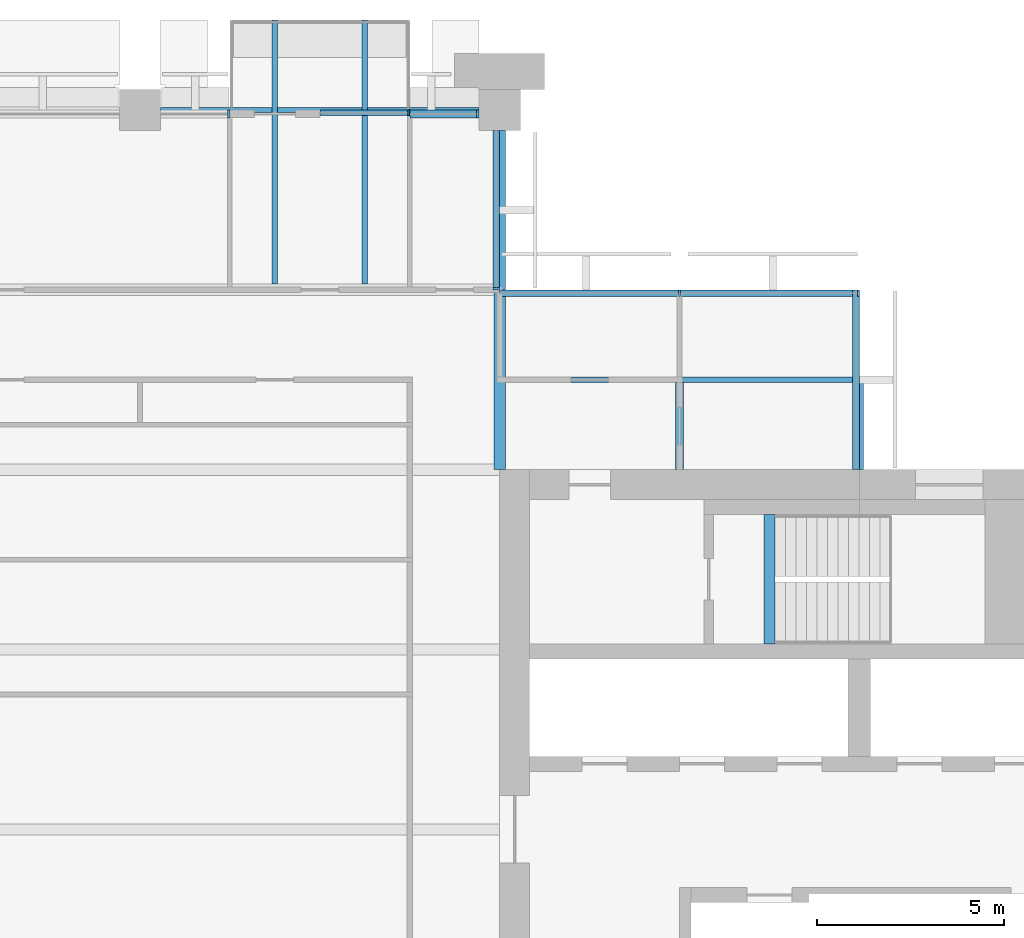
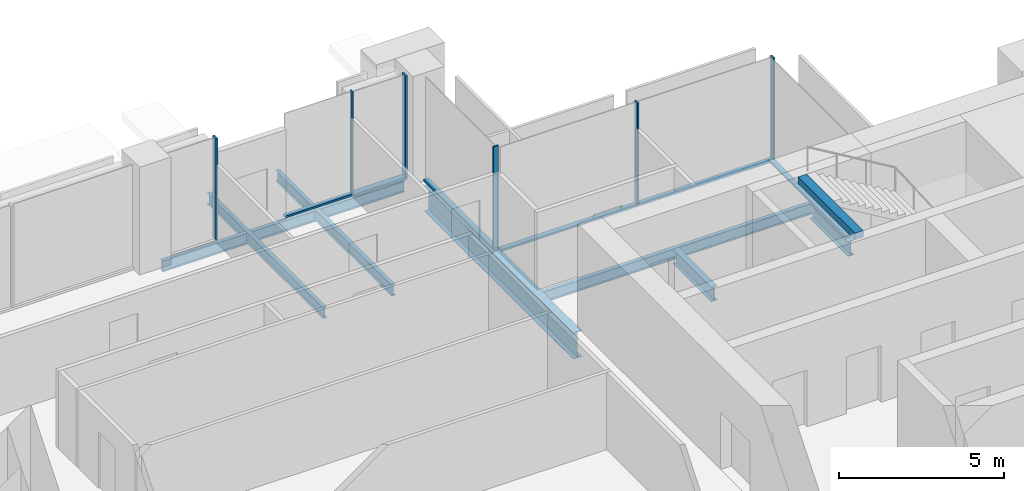
# One storey, part 6 of 14: 11 members, 10 beams, 6 elements without a shape of their own.
"""IFC4 building model written with IfcOpenShell, lengths in metres."""

from ifc_helpers import new_model, si_unit, direction, frame, origin, origin_2d, place, context, subcontext, project, spatial, rectangle, i_section, extrude, material, material_profile, profile_set, type_object, element, aggregate, save


model = new_model("IFC4")

# Units and contexts
model_context = context("Model", 3, precision=1e-05, world=origin(), true_north=direction((0.0, 1.0)))
body_context = subcontext(model_context, "Body", "Model", "MODEL_VIEW")
ifc_project = project(units=[si_unit("LENGTHUNIT", "METRE"), si_unit("AREAUNIT", "SQUARE_METRE"), si_unit("VOLUMEUNIT", "CUBIC_METRE"), si_unit("PLANEANGLEUNIT", "RADIAN"), si_unit("MASSUNIT", "GRAM", prefix="KILO")], contexts=[model_context])

# Site, building, storey
site_placement = place(None, origin())
site = spatial("IfcSite", under=ifc_project, at=site_placement, CompositionType="ELEMENT")
building_placement = place(site_placement, origin())
building = spatial("IfcBuilding", under=site, at=building_placement, Name="Baori Bourse Tower", CompositionType="ELEMENT")
storey_placement = place(building_placement, frame((0.0, 0.0, 245.199951171875)))
storey = spatial("IfcBuildingStorey", under=building, at=storey_placement, Name="L54", CompositionType="ELEMENT", Elevation=245.199951171875)

# Beams
ifc_material_1 = material(Name="Steel A992 Gr 50", Category="steel")
ifc_material_profile_1 = material_profile(ifc_material_1, i_section(OverallWidth=0.140380859375, OverallDepth=0.40380859375, WebThickness=0.007080078125, FlangeThickness=0.01123046875, at=origin_2d()), Name="W16x31")
ifc_profile_set_1 = profile_set([ifc_material_profile_1], Name="Steel A992 Gr 50")
beam_type_1 = type_object("IfcBeamType", Name="Balcony beam W16x31", PredefinedType="BEAM", material=ifc_profile_set_1)
for number, where, z_axis, x_axis, name in (
    (1, (32.39990234375, 50.39990234375, -0.36181640625), (0.0, -1.0, 0.0), (1.0, 0.0, 0.0), "Balcony beam L54"),
    (2, (34.800048828125, 50.39990234375, -0.36181640625), (0.0, -1.0, 0.0), (1.0, 0.0, 0.0), "Balcony beam L54"),
):
    element("IfcBeam", number, at=place(storey_placement, frame(where, z_axis=z_axis, x_axis=x_axis)), inside=storey, type_object=beam_type_1, Name=name, PredefinedType="BEAM", context=body_context, shape_type="SweptSolid", body=[
        extrude(i_section(OverallWidth=0.140380859375, OverallDepth=0.40380859375, WebThickness=0.007080078125, FlangeThickness=0.01123046875, at=origin_2d()), origin(), (0.0, 0.0, 1.0), 7.050048828125),
    ])

# Curtain wall, members
ifc_material_2 = material(Name="Pale anodised aluminium", Category="aluminium")
curtain_wall_type_1 = type_object("IfcCurtainWallType", Name="CW2 Curtain wall", PredefinedType="NOTDEFINED", material=ifc_material_2)
curtain_wall_1_placement = place(storey_placement, origin())
curtain_wall_1 = element("IfcCurtainWall", 3, at=curtain_wall_1_placement, inside=storey, type_object=curtain_wall_type_1, Name="Curtain wall CW2 L54 2", PredefinedType="NOTDEFINED")
ifc_material_3 = material(Name="Pale anodised aluminium", Category="aluminium")
ifc_material_profile_2 = material_profile(ifc_material_3, rectangle(XDim=0.179931640625, YDim=0.054931640625, at=origin_2d()), Name="Mullion 55x180")
ifc_profile_set_2 = profile_set([ifc_material_profile_2], Name="Pale anodised aluminium")
member_type_1 = type_object("IfcMemberType", Name="CW2 Curtain wall mullion", PredefinedType="MULLION", material=ifc_profile_set_2)
member_1_placement = place(storey_placement, frame((47.972412109375, 43.110107421875, 0.070068359375), z_axis=(0.0, 0.0, 1.0), x_axis=(0.0, -1.0, 0.0)))
member_1 = element("IfcMember", 4, at=member_1_placement, type_object=member_type_1, Name="Curtain wall CW2 mullion", PredefinedType="MULLION", context=body_context, shape_type="SweptSolid", body=[
    extrude(rectangle(XDim=0.179931640625, YDim=0.054931640625, at=origin_2d()), origin(), (0.0, 0.0, 1.0), 3.77001953125),
])
member_2_placement = place(storey_placement, frame((43.199951171875, 43.110107421875, 0.070068359375), z_axis=(0.0, 0.0, 1.0), x_axis=(0.0, -1.0, 0.0)))
member_2 = element("IfcMember", 5, at=member_2_placement, type_object=member_type_1, Name="Curtain wall CW2 mullion", PredefinedType="MULLION", context=body_context, shape_type="SweptSolid", body=[
    extrude(rectangle(XDim=0.179931640625, YDim=0.054931640625, at=origin_2d()), origin(), (0.0, 0.0, 1.0), 3.77001953125),
])

# Curtain wall, member
curtain_wall_2_placement = place(storey_placement, origin())
curtain_wall_2 = element("IfcCurtainWall", 6, at=curtain_wall_2_placement, inside=storey, type_object=curtain_wall_type_1, Name="Curtain wall CW2 L54 3", PredefinedType="NOTDEFINED")
member_3_placement = place(storey_placement, frame((38.31005859375, 43.2275390625, 0.070068359375), z_axis=(0.0, 0.0, 1.0), x_axis=(-1.0, 0.0, 0.0)))
member_3 = element("IfcMember", 7, at=member_3_placement, type_object=member_type_1, Name="Curtain wall CW2 mullion", PredefinedType="MULLION", context=body_context, shape_type="SweptSolid", body=[
    extrude(rectangle(XDim=0.179931640625, YDim=0.054931640625, at=origin_2d()), origin(), (0.0, 0.0, 1.0), 3.77001953125),
])

curtain_wall_3_placement = place(storey_placement, origin())
curtain_wall_3 = element("IfcCurtainWall", 8, at=curtain_wall_3_placement, inside=storey, type_object=curtain_wall_type_1, Name="Curtain wall CW2 L54 1", PredefinedType="NOTDEFINED")
ifc_material_4 = material(Name="Pale anodised aluminium", Category="aluminium")
ifc_material_profile_3 = material_profile(ifc_material_4, rectangle(XDim=0.179931640625, YDim=0.070068359375, at=origin_2d()), Name="Transom 70x180")
ifc_profile_set_3 = profile_set([ifc_material_profile_3], Name="Pale anodised aluminium")
member_type_2 = type_object("IfcMemberType", Name="CW2 Curtain wall transom", PredefinedType="USERDEFINED", material=ifc_profile_set_3)
member_4_placement = place(storey_placement, frame((47.909912109375, 38.39990234375, 0.03515625), z_axis=(0.0, 1.0, 0.0), x_axis=(-1.0, 0.0, 0.0)))
member_4 = element("IfcMember", 9, at=member_4_placement, type_object=member_type_2, Name="Curtain wall CW2 sill rail", ObjectType="TRANSOM", PredefinedType="USERDEFINED", context=body_context, shape_type="SweptSolid", body=[
    extrude(rectangle(XDim=0.179931640625, YDim=0.070068359375, at=origin_2d()), origin(), (0.0, 0.0, 1.0), 4.800048828125),
])
aggregate(curtain_wall_3, [member_4])

# Member
member_5_placement = place(storey_placement, frame((48.0, 43.110107421875, 0.03515625), z_axis=(-1.0, 0.0, 0.0), x_axis=(0.0, -1.0, 0.0)))
member_5 = element("IfcMember", 10, at=member_5_placement, type_object=member_type_2, Name="Curtain wall CW2 sill rail", ObjectType="TRANSOM", PredefinedType="USERDEFINED", context=body_context, shape_type="SweptSolid", body=[
    extrude(rectangle(XDim=0.179931640625, YDim=0.070068359375, at=origin_2d()), origin(), (0.0, 0.0, 1.0), 9.60009765625),
])

aggregate(curtain_wall_1, [member_5, member_1, member_2])

member_6_placement = place(storey_placement, frame((38.31005859375, 43.199951171875, 0.03515625), z_axis=(0.0, 1.0, 0.0), x_axis=(-1.0, 0.0, 0.0)))
member_6 = element("IfcMember", 11, at=member_6_placement, type_object=member_type_2, Name="Curtain wall CW2 sill rail", ObjectType="TRANSOM", PredefinedType="USERDEFINED", context=body_context, shape_type="SweptSolid", body=[
    extrude(rectangle(XDim=0.179931640625, YDim=0.070068359375, at=origin_2d()), origin(), (0.0, 0.0, 1.0), 4.25),
])

aggregate(curtain_wall_2, [member_6, member_3])

# Curtain wall, member
ifc_material_5 = material(Name="Pale anodised aluminium", Category="aluminium")
curtain_wall_type_2 = type_object("IfcCurtainWallType", Name="CW5 Curtain wall", PredefinedType="NOTDEFINED", material=ifc_material_5)
curtain_wall_4_placement = place(storey_placement, origin())
curtain_wall_4 = element("IfcCurtainWall", 12, at=curtain_wall_4_placement, inside=storey, type_object=curtain_wall_type_2, Name="Curtain wall CW5 L54 4", PredefinedType="NOTDEFINED")
ifc_material_6 = material(Name="Pale anodised aluminium", Category="aluminium")
ifc_material_profile_4 = material_profile(ifc_material_6, rectangle(XDim=0.219970703125, YDim=0.06494140625, at=origin_2d()), Name="Mullion 65x220")
ifc_profile_set_4 = profile_set([ifc_material_profile_4], Name="Pale anodised aluminium")
member_type_3 = type_object("IfcMemberType", Name="CW5 Curtain wall mullion", PredefinedType="MULLION", material=ifc_profile_set_4)
member_7_placement = place(storey_placement, frame((37.8173828125, 47.889892578125, 0.0849609375), z_axis=(0.0, 0.0, 1.0), x_axis=(0.0, -1.0, 0.0)))
member_7 = element("IfcMember", 13, at=member_7_placement, type_object=member_type_3, Name="Curtain wall CW5 mullion", PredefinedType="MULLION", context=body_context, shape_type="SweptSolid", body=[
    extrude(rectangle(XDim=0.219970703125, YDim=0.06494140625, at=origin_2d()), origin(), (0.0, 0.0, 1.0), 3.755126953125),
])

curtain_wall_5_placement = place(storey_placement, origin())
curtain_wall_5 = element("IfcCurtainWall", 14, at=curtain_wall_5_placement, inside=storey, type_object=curtain_wall_type_2, Name="Curtain wall CW5 L54 6", PredefinedType="NOTDEFINED")
member_8_placement = place(storey_placement, frame((31.16748046875, 47.889892578125, 0.0849609375), z_axis=(0.0, 0.0, 1.0), x_axis=(0.0, -1.0, 0.0)))
member_8 = element("IfcMember", 15, at=member_8_placement, type_object=member_type_3, Name="Curtain wall CW5 mullion", PredefinedType="MULLION", context=body_context, shape_type="SweptSolid", body=[
    extrude(rectangle(XDim=0.219970703125, YDim=0.06494140625, at=origin_2d()), origin(), (0.0, 0.0, 1.0), 3.755126953125),
])
aggregate(curtain_wall_5, [member_8])

# Member
ifc_material_7 = material(Name="Pale anodised aluminium", Category="aluminium")
ifc_material_profile_5 = material_profile(ifc_material_7, rectangle(XDim=0.219970703125, YDim=0.0849609375, at=origin_2d()), Name="Transom 85x220")
ifc_profile_set_5 = profile_set([ifc_material_profile_5], Name="Pale anodised aluminium")
member_type_4 = type_object("IfcMemberType", Name="CW5 Curtain wall transom", PredefinedType="USERDEFINED", material=ifc_profile_set_5)
member_9_placement = place(storey_placement, frame((37.85009765625, 47.889892578125, 0.04248046875), z_axis=(-1.0, 0.0, 0.0), x_axis=(0.0, -1.0, 0.0)))
member_9 = element("IfcMember", 16, at=member_9_placement, type_object=member_type_4, Name="Curtain wall CW5 sill rail", ObjectType="TRANSOM", PredefinedType="USERDEFINED", context=body_context, shape_type="SweptSolid", body=[
    extrude(rectangle(XDim=0.219970703125, YDim=0.0849609375, at=origin_2d()), origin(), (0.0, 0.0, 1.0), 1.85009765625),
])

aggregate(curtain_wall_4, [member_9, member_7])

# Curtain wall, members
ifc_material_8 = material(Name="Pale anodised aluminium", Category="aluminium")
curtain_wall_type_3 = type_object("IfcCurtainWallType", Name="CW6 Curtain wall", PredefinedType="NOTDEFINED", material=ifc_material_8)
curtain_wall_6_placement = place(storey_placement, origin())
curtain_wall_6 = element("IfcCurtainWall", 17, at=curtain_wall_6_placement, inside=storey, type_object=curtain_wall_type_3, Name="Curtain wall CW6 L54 5", PredefinedType="NOTDEFINED")
ifc_material_9 = material(Name="Pale anodised aluminium", Category="aluminium")
ifc_material_profile_6 = material_profile(ifc_material_9, rectangle(XDim=0.14990234375, YDim=0.050048828125, at=origin_2d()), Name="Mullion 50x150")
ifc_profile_set_6 = profile_set([ifc_material_profile_6], Name="Pale anodised aluminium")
member_type_5 = type_object("IfcMemberType", Name="CW6 Curtain wall mullion", PredefinedType="MULLION", material=ifc_profile_set_6)
member_10_placement = place(storey_placement, frame((35.97509765625, 47.925048828125, 0.06494140625), z_axis=(0.0, 0.0, 1.0), x_axis=(0.0, -1.0, 0.0)))
member_10 = element("IfcMember", 18, at=member_10_placement, type_object=member_type_5, Name="Curtain wall CW6 mullion", PredefinedType="MULLION", context=body_context, shape_type="SweptSolid", body=[
    extrude(rectangle(XDim=0.14990234375, YDim=0.050048828125, at=origin_2d()), origin(), (0.0, 0.0, 1.0), 3.775146484375),
])
ifc_material_10 = material(Name="Pale anodised aluminium", Category="aluminium")
ifc_material_profile_7 = material_profile(ifc_material_10, rectangle(XDim=0.14990234375, YDim=0.06494140625, at=origin_2d()), Name="Transom 65x150")
ifc_profile_set_7 = profile_set([ifc_material_profile_7], Name="Pale anodised aluminium")
member_type_6 = type_object("IfcMemberType", Name="CW6 Curtain wall transom", PredefinedType="USERDEFINED", material=ifc_profile_set_7)
member_11_placement = place(storey_placement, frame((36.0, 47.925048828125, 0.032470703125), z_axis=(-1.0, 0.0, 0.0), x_axis=(0.0, -1.0, 0.0)))
member_11 = element("IfcMember", 19, at=member_11_placement, type_object=member_type_6, Name="Curtain wall CW6 sill rail", ObjectType="TRANSOM", PredefinedType="USERDEFINED", context=body_context, shape_type="SweptSolid", body=[
    extrude(rectangle(XDim=0.14990234375, YDim=0.06494140625, at=origin_2d()), origin(), (0.0, 0.0, 1.0), 2.39990234375),
])
aggregate(curtain_wall_6, [member_11, member_10])

# Beams
ifc_material_11 = material(Name="Steel A992 Gr 50", Category="steel")
ifc_material_profile_8 = material_profile(ifc_material_11, i_section(OverallWidth=0.21240234375, OverallDepth=0.54345703125, WebThickness=0.01318359375, FlangeThickness=0.021240234375, at=origin_2d()), Name="W21x83")
ifc_profile_set_8 = profile_set([ifc_material_profile_8], Name="Steel A992 Gr 50")
beam_type_2 = type_object("IfcBeamType", Name="Core bracket W21x83", PredefinedType="BEAM", material=ifc_profile_set_8)
for number, where, z_axis, x_axis, name in (
    (20, (43.199951171875, 38.39990234375, -0.431640625), (0.0, 1.0, 0.0), (-1.0, 0.0, 0.0), "Core bracket L54"),
    (21, (48.0, 38.39990234375, -0.431640625), (0.0, 1.0, 0.0), (-1.0, 0.0, 0.0), "Core bracket L54"),
):
    element("IfcBeam", number, at=place(storey_placement, frame(where, z_axis=z_axis, x_axis=x_axis)), inside=storey, type_object=beam_type_2, Name=name, PredefinedType="BEAM", context=body_context, shape_type="SweptSolid", body=[
        extrude(i_section(OverallWidth=0.21240234375, OverallDepth=0.54345703125, WebThickness=0.01318359375, FlangeThickness=0.021240234375, at=origin_2d()), origin(), (0.0, 0.0, 1.0), 2.329833984375),
    ])
ifc_material_12 = material(Name="Steel A992 Gr 50", Category="steel")
ifc_material_profile_9 = material_profile(ifc_material_12, i_section(OverallWidth=0.140380859375, OverallDepth=0.40380859375, WebThickness=0.007080078125, FlangeThickness=0.01123046875, at=origin_2d()), Name="W16x31")
ifc_profile_set_9 = profile_set([ifc_material_profile_9], Name="Steel A992 Gr 50")
beam_type_3 = type_object("IfcBeamType", Name="Edge beam W16x31", PredefinedType="BEAM", material=ifc_profile_set_9)
beam_1_placement = place(storey_placement, frame((29.35009765625, 48.0, -0.36181640625), z_axis=(1.0, 0.0, 0.0), x_axis=(0.0, 1.0, 0.0)))
element("IfcBeam", 22, at=beam_1_placement, inside=storey, type_object=beam_type_3, Name="Edge beam L54", PredefinedType="BEAM", context=body_context, shape_type="SweptSolid", body=[
    extrude(i_section(OverallWidth=0.140380859375, OverallDepth=0.40380859375, WebThickness=0.007080078125, FlangeThickness=0.01123046875, at=origin_2d()), origin(), (0.0, 0.0, 1.0), 2.979736328125),
])
beam_2_placement = place(storey_placement, frame((32.47021484375, 48.0, -0.36181640625), z_axis=(1.0, 0.0, 0.0), x_axis=(0.0, 1.0, 0.0)))
element("IfcBeam", 23, at=beam_2_placement, inside=storey, type_object=beam_type_3, Name="Edge beam L54", PredefinedType="BEAM", context=body_context, shape_type="SweptSolid", body=[
    extrude(i_section(OverallWidth=0.140380859375, OverallDepth=0.40380859375, WebThickness=0.007080078125, FlangeThickness=0.01123046875, at=origin_2d()), origin(), (0.0, 0.0, 1.0), 2.259521484375),
])
beam_3_placement = place(storey_placement, frame((34.8701171875, 48.0, -0.36181640625), z_axis=(1.0, 0.0, 0.0), x_axis=(0.0, 1.0, 0.0)))
element("IfcBeam", 24, at=beam_3_placement, inside=storey, type_object=beam_type_3, Name="Edge beam L54", PredefinedType="BEAM", context=body_context, shape_type="SweptSolid", body=[
    extrude(i_section(OverallWidth=0.140380859375, OverallDepth=0.40380859375, WebThickness=0.007080078125, FlangeThickness=0.01123046875, at=origin_2d()), origin(), (0.0, 0.0, 1.0), 2.97998046875),
])
ifc_material_13 = material(Name="Steel A992 Gr 50", Category="steel")
ifc_material_profile_10 = material_profile(ifc_material_13, i_section(OverallWidth=0.2998046875, OverallDepth=0.97021484375, WebThickness=0.01611328125, FlangeThickness=0.02099609375, at=origin_2d()), Name="W40x149")
ifc_profile_set_10 = profile_set([ifc_material_profile_10], Name="Steel A992 Gr 50")
beam_type_4 = type_object("IfcBeamType", Name="Girder W40x149", PredefinedType="BEAM", material=ifc_profile_set_10)
beam_4_placement = place(storey_placement, frame((38.39990234375, 38.39990234375, -0.64501953125), z_axis=(0.0, 1.0, 0.0), x_axis=(-1.0, 0.0, 0.0)))
element("IfcBeam", 25, at=beam_4_placement, inside=storey, type_object=beam_type_4, Name="Girder L54", PredefinedType="BEAM", context=body_context, shape_type="SweptSolid", body=[
    extrude(i_section(OverallWidth=0.2998046875, OverallDepth=0.97021484375, WebThickness=0.01611328125, FlangeThickness=0.02099609375, at=origin_2d()), origin(), (0.0, 0.0, 1.0), 9.050048828125),
])
ifc_material_14 = material(Name="Concrete f'c 50 MPa", Category="concrete")
ifc_material_profile_11 = material_profile(ifc_material_14, rectangle(XDim=0.300048828125, YDim=0.25, at=origin_2d()), Name="RC 300x250")
ifc_profile_set_11 = profile_set([ifc_material_profile_11], Name="Concrete f'c 50 MPa")
beam_type_5 = type_object("IfcBeamType", Name="Stair nib beam RC 300x250", PredefinedType="BEAM", material=ifc_profile_set_11)
beam_5_placement = place(storey_placement, frame((45.60009765625, 33.75, 3.715087890625), z_axis=(0.0, 1.0, 0.0), x_axis=(-1.0, 0.0, 0.0)))
element("IfcBeam", 26, at=beam_5_placement, inside=storey, type_object=beam_type_5, Name="Stair EB nib beam L55", PredefinedType="BEAM", context=body_context, shape_type="SweptSolid", body=[
    extrude(rectangle(XDim=0.300048828125, YDim=0.25, at=origin_2d()), origin(), (0.0, 0.0, 1.0), 3.449951171875),
])
ifc_material_15 = material(Name="Steel A992 Gr 50", Category="steel")
ifc_material_profile_12 = material_profile(ifc_material_15, i_section(OverallWidth=0.140380859375, OverallDepth=0.40380859375, WebThickness=0.007080078125, FlangeThickness=0.01123046875, at=origin_2d()), Name="W16x31")
ifc_profile_set_12 = profile_set([ifc_material_profile_12], Name="Steel A992 Gr 50")
beam_type_6 = type_object("IfcBeamType", Name="Trimmer beam W16x31", PredefinedType="BEAM", material=ifc_profile_set_12)
beam_6_placement = place(storey_placement, frame((38.5498046875, 40.800048828125, -0.36181640625), z_axis=(1.0, 0.0, 0.0), x_axis=(0.0, 1.0, 0.0)))
element("IfcBeam", 27, at=beam_6_placement, inside=storey, type_object=beam_type_6, Name="Trimmer beam L54", PredefinedType="BEAM", context=body_context, shape_type="SweptSolid", body=[
    extrude(i_section(OverallWidth=0.140380859375, OverallDepth=0.40380859375, WebThickness=0.007080078125, FlangeThickness=0.01123046875, at=origin_2d()), origin(), (0.0, 0.0, 1.0), 9.4501953125),
])

save(model, "model.ifc")
